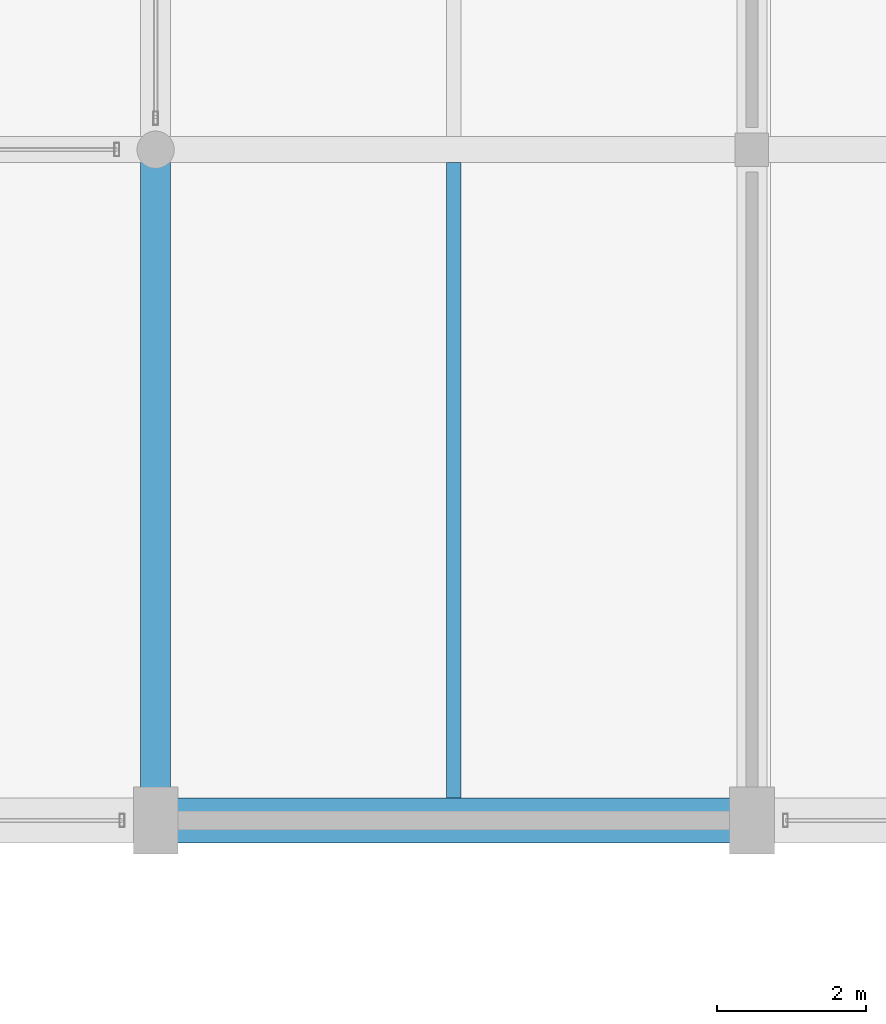
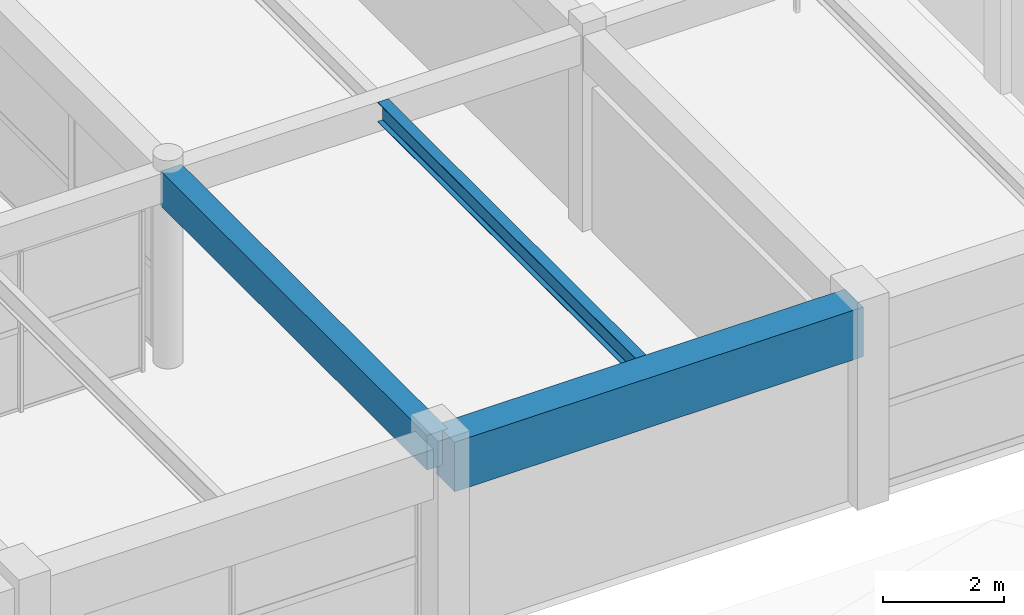
# One storey, part 49 of 126: 3 beams.
"""IFC4 building model written with IfcOpenShell, lengths in metres."""

from ifc_helpers import new_model, si_unit, direction, frame, origin, origin_2d, place, context, subcontext, project, spatial, rectangle, i_section, extrude, material, material_profile, profile_set, type_object, element, save


model = new_model("IFC4")

# Units and contexts
model_context = context("Model", 3, precision=1e-05, world=origin(), true_north=direction((0.0, 1.0)))
body_context = subcontext(model_context, "Body", "Model", "MODEL_VIEW")
ifc_project = project(units=[si_unit("LENGTHUNIT", "METRE"), si_unit("AREAUNIT", "SQUARE_METRE"), si_unit("VOLUMEUNIT", "CUBIC_METRE"), si_unit("PLANEANGLEUNIT", "RADIAN"), si_unit("MASSUNIT", "GRAM", prefix="KILO")], contexts=[model_context])

# Site, building, storey
site_placement = place(None, origin())
site = spatial("IfcSite", under=ifc_project, at=site_placement, CompositionType="ELEMENT")
building_placement = place(site_placement, origin())
building = spatial("IfcBuilding", under=site, at=building_placement, Name="Varnabhumi Central Station", CompositionType="ELEMENT")
storey_placement = place(building_placement, frame((0.0, 0.0, 16.199951171875)))
storey = spatial("IfcBuildingStorey", under=building, at=storey_placement, Name="L03", CompositionType="ELEMENT", Elevation=16.199951171875)

# Beams
ifc_material_1 = material(Name="Concrete M50", Category="concrete")
ifc_material_profile_1 = material_profile(ifc_material_1, rectangle(XDim=0.60009765625, YDim=1.0, at=origin_2d()), Name="Concrete M50", Category="concrete")
ifc_profile_set_1 = profile_set([ifc_material_profile_1], Name="Concrete M50")
beam_type_1 = type_object("IfcBeamType", Name="BM-RC-600x1000", PredefinedType="BEAM", material=ifc_profile_set_1)
beam_1_placement = place(storey_placement, frame((80.10009765625, 80.0, 3.449951171875), z_axis=(1.0, 0.0, 0.0), x_axis=(0.0, 1.0, 0.0)))
element("IfcBeam", 1, at=beam_1_placement, inside=storey, type_object=beam_type_1, Name="Beam L03-K:11-12", PredefinedType="BEAM", context=body_context, shape_type="SweptSolid", body=[
    extrude(rectangle(XDim=0.60009765625, YDim=1.0, at=origin_2d()), origin(), (0.0, 0.0, 1.0), 7.7998046875),
])
ifc_material_2 = material(Name="Concrete M40", Category="concrete")
ifc_material_profile_2 = material_profile(ifc_material_2, rectangle(XDim=0.39990234375, YDim=0.699951171875, at=origin_2d()), Name="Concrete M40", Category="concrete")
ifc_profile_set_2 = profile_set([ifc_material_profile_2], Name="Concrete M40")
beam_type_2 = type_object("IfcBeamType", Name="BM-RC-700x400", PredefinedType="BEAM", material=ifc_profile_set_2)
beam_2_placement = place(storey_placement, frame((80.0, 80.10009765625, 3.60009765625), z_axis=(0.0, 1.0, 0.0), x_axis=(-1.0, 0.0, 0.0)))
element("IfcBeam", 2, at=beam_2_placement, inside=storey, type_object=beam_type_2, Name="Beam L03-11:K-L", PredefinedType="BEAM", context=body_context, shape_type="SweptSolid", body=[
    extrude(rectangle(XDim=0.39990234375, YDim=0.699951171875, at=origin_2d()), origin(), (0.0, 0.0, 1.0), 8.7998046875),
])
ifc_material_3 = material(Name="Structural steel E350", Category="steel")
ifc_material_profile_3 = material_profile(ifc_material_3, i_section(OverallWidth=0.199951171875, OverallDepth=0.39990234375, WebThickness=0.008544921875, FlangeThickness=0.012939453125, FilletRadius=0.012939453125, at=origin_2d()), Name="Structural steel E350", Category="steel")
ifc_profile_set_3 = profile_set([ifc_material_profile_3], Name="Structural steel E350")
beam_type_3 = type_object("IfcBeamType", Name="BM-SEC-ISWB400", PredefinedType="JOIST", material=ifc_profile_set_3)
beam_3_placement = place(storey_placement, frame((84.0, 80.300048828125, 3.75), z_axis=(0.0, 1.0, 0.0), x_axis=(-1.0, 0.0, 0.0)))
element("IfcBeam", 3, at=beam_3_placement, inside=storey, type_object=beam_type_3, Name="Secondary Joist L03-11/12:K-L", PredefinedType="JOIST", context=body_context, shape_type="SweptSolid", body=[
    extrude(i_section(OverallWidth=0.199951171875, OverallDepth=0.39990234375, WebThickness=0.008544921875, FlangeThickness=0.012939453125, FilletRadius=0.012939453125, at=origin_2d()), origin(), (0.0, 0.0, 1.0), 8.52490234375),
])

save(model, "model.ifc")
